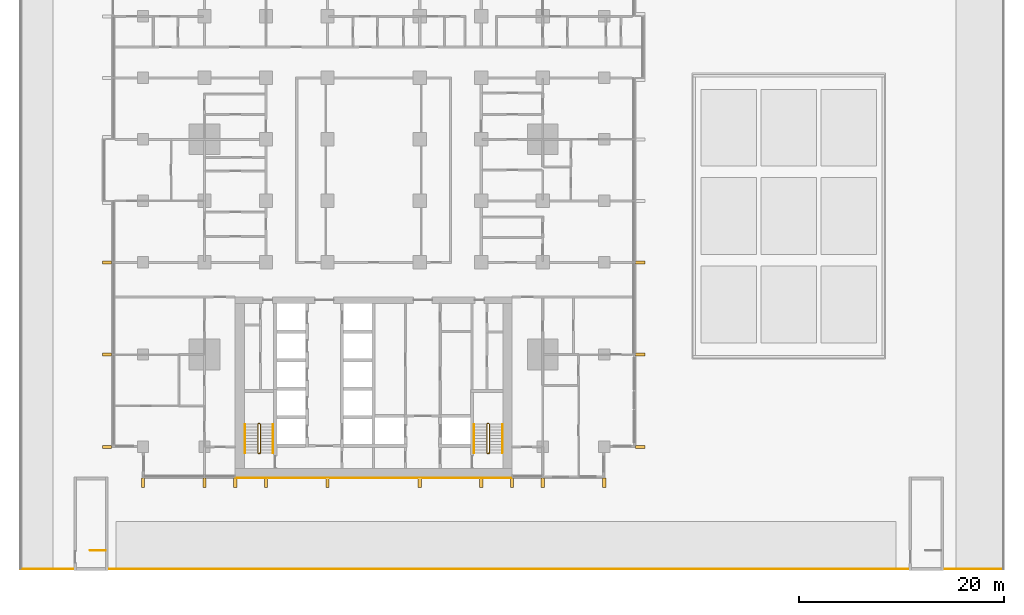
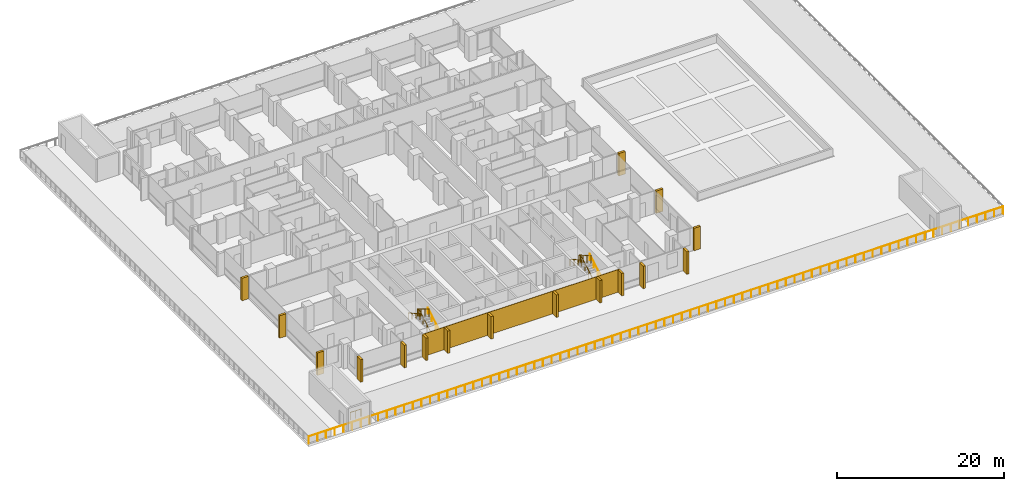
# One storey, part 23 of 25: 16 shading devices, 8 railings, 5 coverings.
"""IFC4 building model written with IfcOpenShell, lengths in metres."""

from ifc_helpers import new_model, si_unit, direction, frame, origin, origin_2d, place, context, subcontext, project, spatial, polyline, rectangle, circle, outline, extrude, material, layer, layer_set, type_object, element, save


model = new_model("IFC4")

# Units and contexts
model_context = context("Model", 3, precision=1e-05, world=origin(), true_north=direction((0.0, 1.0)))
body_context = subcontext(model_context, "Body", "Model", "MODEL_VIEW")
ifc_project = project(units=[si_unit("LENGTHUNIT", "METRE"), si_unit("AREAUNIT", "SQUARE_METRE"), si_unit("VOLUMEUNIT", "CUBIC_METRE"), si_unit("PLANEANGLEUNIT", "RADIAN"), si_unit("MASSUNIT", "GRAM", prefix="KILO")], contexts=[model_context])

# Site, building, storey
site_placement = place(None, origin())
site = spatial("IfcSite", under=ifc_project, at=site_placement, CompositionType="ELEMENT")
building_placement = place(site_placement, origin())
building = spatial("IfcBuilding", under=site, at=building_placement, Name="Finial Court Residences", CompositionType="ELEMENT")
storey_placement = place(building_placement, frame((0.0, 0.0, 32.5)))
storey = spatial("IfcBuildingStorey", under=building, at=storey_placement, Name="L06", CompositionType="ELEMENT", Elevation=32.5)

# Coverings
ifc_material_1 = material(Name="Natural limestone", Category="masonry")
ifc_layer = layer(ifc_material_1, 0.06005859375)
ifc_layer_set = layer_set([ifc_layer], Name="Limestone cladding to the blind core face 60")
covering_type = type_object("IfcCoveringType", Name="Limestone cladding to the blind core face 60", PredefinedType="CLADDING", material=ifc_layer_set)
covering_1_placement = place(storey_placement, origin())
element("IfcCovering", 1, at=covering_1_placement, inside=storey, type_object=covering_type, Name="E-L06-CLAD1", PredefinedType="CLADDING", context=body_context, shape_type="SweptSolid", body=[
    extrude(outline(polyline([(-10.5, -25.56005859375), (-10.5, -25.5), (-13.5, -25.5), (-13.5, -25.56005859375), (-10.5, -25.56005859375)])), origin(), (0.0, 0.0, 1.0), 3.300048828125),
])
covering_2_placement = place(storey_placement, origin())
element("IfcCovering", 2, at=covering_2_placement, inside=storey, type_object=covering_type, Name="E-L06-CLAD2", PredefinedType="CLADDING", context=body_context, shape_type="SweptSolid", body=[
    extrude(outline(polyline([(-4.5, -25.56005859375), (-4.5, -25.5), (-10.5, -25.5), (-10.5, -25.56005859375), (-4.5, -25.56005859375)])), origin(), (0.0, 0.0, 1.0), 3.300048828125),
])
covering_3_placement = place(storey_placement, origin())
element("IfcCovering", 3, at=covering_3_placement, inside=storey, type_object=covering_type, Name="E-L06-CLAD3", PredefinedType="CLADDING", context=body_context, shape_type="SweptSolid", body=[
    extrude(outline(polyline([(4.5, -25.56005859375), (4.5, -25.5), (-4.5, -25.5), (-4.5, -25.56005859375), (4.5, -25.56005859375)])), origin(), (0.0, 0.0, 1.0), 3.300048828125),
])
covering_4_placement = place(storey_placement, origin())
element("IfcCovering", 4, at=covering_4_placement, inside=storey, type_object=covering_type, Name="E-L06-CLAD4", PredefinedType="CLADDING", context=body_context, shape_type="SweptSolid", body=[
    extrude(outline(polyline([(10.5, -25.56005859375), (10.5, -25.5), (4.5, -25.5), (4.5, -25.56005859375), (10.5, -25.56005859375)])), origin(), (0.0, 0.0, 1.0), 3.300048828125),
])
covering_5_placement = place(storey_placement, origin())
element("IfcCovering", 5, at=covering_5_placement, inside=storey, type_object=covering_type, Name="E-L06-CLAD5", PredefinedType="CLADDING", context=body_context, shape_type="SweptSolid", body=[
    extrude(outline(polyline([(13.5, -25.56005859375), (13.5, -25.5), (10.5, -25.5), (10.5, -25.56005859375), (13.5, -25.56005859375)])), origin(), (0.0, 0.0, 1.0), 3.300048828125),
])

# Shading devices
shading_device_type = type_object("IfcShadingDeviceType", Name="Limestone fin 300 x 900", PredefinedType="USERDEFINED", material=ifc_material_1)
for number, where, z_axis, x_axis, name in (
    (6, (26.010009765625, -22.5, 0.0), (0.0, 0.0, 1.0), (1.0, 0.0, 0.0), "E-L06-FIN-E9"),
    (7, (26.010009765625, -13.5, 0.0), (0.0, 0.0, 1.0), (1.0, 0.0, 0.0), "E-L06-FIN-E10"),
    (8, (26.010009765625, -4.5, 0.0), (0.0, 0.0, 1.0), (1.0, 0.0, 0.0), "E-L06-FIN-E11"),
):
    element("IfcShadingDevice", number, at=place(storey_placement, frame(where, z_axis=z_axis, x_axis=x_axis)), inside=storey, type_object=shading_device_type, Name=name, ObjectType="FIN", PredefinedType="USERDEFINED", context=body_context, shape_type="SweptSolid", body=[
        extrude(rectangle(XDim=0.89990234375, YDim=0.300048828125, at=origin_2d()), origin(), (0.0, 0.0, 1.0), 3.280029296875),
    ])
for number, where, z_axis, x_axis, name in (
    (9, (-22.5, -26.010009765625, 0.0), (0.0, 0.0, 1.0), (1.0, 0.0, 0.0), "E-L06-FIN-S17"),
    (10, (-16.5, -26.010009765625, 0.0), (0.0, 0.0, 1.0), (1.0, 0.0, 0.0), "E-L06-FIN-S18"),
    (11, (-13.5, -26.010009765625, 0.0), (0.0, 0.0, 1.0), (1.0, 0.0, 0.0), "E-L06-FIN-S19"),
    (12, (-10.5, -26.010009765625, 0.0), (0.0, 0.0, 1.0), (1.0, 0.0, 0.0), "E-L06-FIN-S20"),
    (13, (-4.5, -26.010009765625, 0.0), (0.0, 0.0, 1.0), (1.0, 0.0, 0.0), "E-L06-FIN-S21"),
    (14, (4.5, -26.010009765625, 0.0), (0.0, 0.0, 1.0), (1.0, 0.0, 0.0), "E-L06-FIN-S22"),
    (15, (10.5, -26.010009765625, 0.0), (0.0, 0.0, 1.0), (1.0, 0.0, 0.0), "E-L06-FIN-S23"),
    (16, (13.5, -26.010009765625, 0.0), (0.0, 0.0, 1.0), (1.0, 0.0, 0.0), "E-L06-FIN-S24"),
    (17, (16.5, -26.010009765625, 0.0), (0.0, 0.0, 1.0), (1.0, 0.0, 0.0), "E-L06-FIN-S25"),
    (18, (22.5, -26.010009765625, 0.0), (0.0, 0.0, 1.0), (1.0, 0.0, 0.0), "E-L06-FIN-S26"),
):
    element("IfcShadingDevice", number, at=place(storey_placement, frame(where, z_axis=z_axis, x_axis=x_axis)), inside=storey, type_object=shading_device_type, Name=name, ObjectType="FIN", PredefinedType="USERDEFINED", context=body_context, shape_type="SweptSolid", body=[
        extrude(rectangle(XDim=0.300048828125, YDim=0.89990234375, at=origin_2d()), origin(), (0.0, 0.0, 1.0), 3.280029296875),
    ])
for number, where, z_axis, x_axis, name in (
    (19, (-26.010009765625, -22.5, 0.0), (0.0, 0.0, 1.0), (1.0, 0.0, 0.0), "E-L06-FIN-W27"),
    (20, (-26.010009765625, -13.5, 0.0), (0.0, 0.0, 1.0), (1.0, 0.0, 0.0), "E-L06-FIN-W28"),
    (21, (-26.010009765625, -4.5, 0.0), (0.0, 0.0, 1.0), (1.0, 0.0, 0.0), "E-L06-FIN-W29"),
):
    element("IfcShadingDevice", number, at=place(storey_placement, frame(where, z_axis=z_axis, x_axis=x_axis)), inside=storey, type_object=shading_device_type, Name=name, ObjectType="FIN", PredefinedType="USERDEFINED", context=body_context, shape_type="SweptSolid", body=[
        extrude(rectangle(XDim=0.89990234375, YDim=0.300048828125, at=origin_2d()), origin(), (0.0, 0.0, 1.0), 3.280029296875),
    ])

# Railings
ifc_material_2 = material(Name="Stainless steel railing", Category="steel")
railing_type_1 = type_object("IfcRailingType", Name="Stair guard 1100", PredefinedType="GUARDRAIL", material=ifc_material_2)
railing_1_placement = place(storey_placement, frame((-11.10009765625, -23.14990234375, 0.0)))
element("IfcRailing", 22, at=railing_1_placement, inside=storey, type_object=railing_type_1, Name="L06 ST-1 stair guard 1", PredefinedType="GUARDRAIL", context=body_context, shape_type="SweptSolid", body=[
    extrude(circle(Radius=0.02392578125, at=origin_2d()), frame((0.0, 0.0, 1.076171875), z_axis=(-1.0, 0.0, 0.0), x_axis=(0.0, -1.0, 0.0)), (0.0, 0.0, 1.0), 0.14990234375),
    extrude(circle(Radius=0.02392578125, at=origin_2d()), frame((-0.14990234375, 0.0, 1.076171875), z_axis=(0.760004195007, 0.189305074214, 0.621737253547), x_axis=(-0.241699205484, 0.970351222016, 0.0)), (0.0, 0.0, 1.0), 0.26318359375),
    extrude(circle(Radius=0.02392578125, at=origin_2d()), frame((0.050048828125, 0.0498046875, 1.23974609375), z_axis=(0.0, 0.863360870873, 0.504586966384), x_axis=(-1.0, 0.0, 0.0)), (0.0, 0.0, 1.0), 3.2431640625),
    extrude(circle(Radius=0.02392578125, at=origin_2d()), frame((0.050048828125, 2.849853515625, 2.8759765625), z_axis=(-0.707106781187, 0.707106781187, 0.0), x_axis=(-0.707106781187, -0.707106781187, 0.0)), (0.0, 0.0, 1.0), 0.07080078125),
    extrude(circle(Radius=0.02392578125, at=origin_2d()), frame((0.0, 2.89990234375, 2.8759765625), z_axis=(-1.0, 0.0, 0.0), x_axis=(0.0, -1.0, 0.0)), (0.0, 0.0, 1.0), 0.14990234375),
    extrude(circle(Radius=0.02392578125, at=origin_2d()), frame((-0.14990234375, 2.89990234375, 2.8759765625), z_axis=(-0.280808744504, -0.280808744504, 0.917765164963), x_axis=(0.707106781187, -0.707106781187, 0.0)), (0.0, 0.0, 1.0), 0.17822265625),
    extrude(circle(Radius=0.02392578125, at=origin_2d()), frame((-0.199951171875, 2.849853515625, 3.03955078125), z_axis=(0.0, -0.863360870873, 0.504586966384), x_axis=(1.0, 0.0, 0.0)), (0.0, 0.0, 1.0), 3.2431640625),
    extrude(circle(Radius=0.02099609375, at=origin_2d()), origin(), (0.0, 0.0, 1.0), 1.052001953125),
    extrude(circle(Radius=0.02099609375, at=origin_2d()), frame((-0.14990234375, 0.0, 0.0)), (0.0, 0.0, 1.0), 1.052001953125),
    extrude(circle(Radius=0.02099609375, at=origin_2d()), frame((0.050048828125, 0.0498046875, 0.16357421875)), (0.0, 0.0, 1.0), 1.052001953125),
    extrude(circle(Radius=0.02099609375, at=origin_2d()), frame((0.050048828125, 0.983154296875, 0.708984375)), (0.0, 0.0, 1.0), 1.052001953125),
    extrude(circle(Radius=0.02099609375, at=origin_2d()), frame((0.050048828125, 1.91650390625, 1.254638671875)), (0.0, 0.0, 1.0), 1.052001953125),
    extrude(circle(Radius=0.02099609375, at=origin_2d()), frame((0.050048828125, 2.849853515625, 1.800048828125)), (0.0, 0.0, 1.0), 1.052001953125),
    extrude(circle(Radius=0.02099609375, at=origin_2d()), frame((0.0, 2.89990234375, 1.800048828125)), (0.0, 0.0, 1.0), 1.052001953125),
    extrude(circle(Radius=0.02099609375, at=origin_2d()), frame((-0.14990234375, 2.89990234375, 1.800048828125)), (0.0, 0.0, 1.0), 1.052001953125),
    extrude(circle(Radius=0.02099609375, at=origin_2d()), frame((-0.199951171875, 2.849853515625, 1.963623046875)), (0.0, 0.0, 1.0), 1.052001953125),
    extrude(circle(Radius=0.02099609375, at=origin_2d()), frame((-0.199951171875, 1.91650390625, 2.509033203125)), (0.0, 0.0, 1.0), 1.052001953125),
    extrude(circle(Radius=0.02099609375, at=origin_2d()), frame((-0.199951171875, 0.983154296875, 3.0546875)), (0.0, 0.0, 1.0), 1.052001953125),
    extrude(circle(Radius=0.02099609375, at=origin_2d()), frame((-0.199951171875, 0.0498046875, 3.60009765625)), (0.0, 0.0, 1.0), 1.052001953125),
])
railing_2_placement = place(storey_placement, frame((11.25, -23.14990234375, 0.0)))
element("IfcRailing", 23, at=railing_2_placement, inside=storey, type_object=railing_type_1, Name="L06 ST-2 stair guard 1", PredefinedType="GUARDRAIL", context=body_context, shape_type="SweptSolid", body=[
    extrude(circle(Radius=0.02392578125, at=origin_2d()), frame((0.0, 0.0, 1.076171875), z_axis=(-1.0, 0.0, 0.0), x_axis=(0.0, -1.0, 0.0)), (0.0, 0.0, 1.0), 0.14990234375),
    extrude(circle(Radius=0.02392578125, at=origin_2d()), frame((-0.14990234375, 0.0, 1.076171875), z_axis=(0.760004195007, 0.189305074214, 0.621737253547), x_axis=(-0.241699205484, 0.970351222016, 0.0)), (0.0, 0.0, 1.0), 0.26318359375),
    extrude(circle(Radius=0.02392578125, at=origin_2d()), frame((0.050048828125, 0.0498046875, 1.23974609375), z_axis=(0.0, 0.863360870873, 0.504586966384), x_axis=(-1.0, 0.0, 0.0)), (0.0, 0.0, 1.0), 3.2431640625),
    extrude(circle(Radius=0.02392578125, at=origin_2d()), frame((0.050048828125, 2.849853515625, 2.8759765625), z_axis=(-0.707106781187, 0.707106781187, 0.0), x_axis=(-0.707106781187, -0.707106781187, 0.0)), (0.0, 0.0, 1.0), 0.07080078125),
    extrude(circle(Radius=0.02392578125, at=origin_2d()), frame((0.0, 2.89990234375, 2.8759765625), z_axis=(-1.0, 0.0, 0.0), x_axis=(0.0, -1.0, 0.0)), (0.0, 0.0, 1.0), 0.14990234375),
    extrude(circle(Radius=0.02392578125, at=origin_2d()), frame((-0.14990234375, 2.89990234375, 2.8759765625), z_axis=(-0.280808744504, -0.280808744504, 0.917765164963), x_axis=(0.707106781187, -0.707106781187, 0.0)), (0.0, 0.0, 1.0), 0.17822265625),
    extrude(circle(Radius=0.02392578125, at=origin_2d()), frame((-0.199951171875, 2.849853515625, 3.03955078125), z_axis=(0.0, -0.863360870873, 0.504586966384), x_axis=(1.0, 0.0, 0.0)), (0.0, 0.0, 1.0), 3.2431640625),
    extrude(circle(Radius=0.02099609375, at=origin_2d()), origin(), (0.0, 0.0, 1.0), 1.052001953125),
    extrude(circle(Radius=0.02099609375, at=origin_2d()), frame((-0.14990234375, 0.0, 0.0)), (0.0, 0.0, 1.0), 1.052001953125),
    extrude(circle(Radius=0.02099609375, at=origin_2d()), frame((0.050048828125, 0.0498046875, 0.16357421875)), (0.0, 0.0, 1.0), 1.052001953125),
    extrude(circle(Radius=0.02099609375, at=origin_2d()), frame((0.050048828125, 0.983154296875, 0.708984375)), (0.0, 0.0, 1.0), 1.052001953125),
    extrude(circle(Radius=0.02099609375, at=origin_2d()), frame((0.050048828125, 1.91650390625, 1.254638671875)), (0.0, 0.0, 1.0), 1.052001953125),
    extrude(circle(Radius=0.02099609375, at=origin_2d()), frame((0.050048828125, 2.849853515625, 1.800048828125)), (0.0, 0.0, 1.0), 1.052001953125),
    extrude(circle(Radius=0.02099609375, at=origin_2d()), frame((0.0, 2.89990234375, 1.800048828125)), (0.0, 0.0, 1.0), 1.052001953125),
    extrude(circle(Radius=0.02099609375, at=origin_2d()), frame((-0.14990234375, 2.89990234375, 1.800048828125)), (0.0, 0.0, 1.0), 1.052001953125),
    extrude(circle(Radius=0.02099609375, at=origin_2d()), frame((-0.199951171875, 2.849853515625, 1.963623046875)), (0.0, 0.0, 1.0), 1.052001953125),
    extrude(circle(Radius=0.02099609375, at=origin_2d()), frame((-0.199951171875, 1.91650390625, 2.509033203125)), (0.0, 0.0, 1.0), 1.052001953125),
    extrude(circle(Radius=0.02099609375, at=origin_2d()), frame((-0.199951171875, 0.983154296875, 3.0546875)), (0.0, 0.0, 1.0), 1.052001953125),
    extrude(circle(Radius=0.02099609375, at=origin_2d()), frame((-0.199951171875, 0.0498046875, 3.60009765625)), (0.0, 0.0, 1.0), 1.052001953125),
])
railing_3_placement = place(storey_placement, frame((-26.14990234375, -32.60009765625, 0.0)))
element("IfcRailing", 24, at=railing_3_placement, inside=storey, type_object=railing_type_1, Name="L06 ST-4 top well guard 1", PredefinedType="GUARDRAIL", context=body_context, shape_type="SweptSolid", body=[
    extrude(circle(Radius=0.02392578125, at=origin_2d()), frame((0.0, 0.0, 1.076171875), z_axis=(-1.0, 0.0, 0.0), x_axis=(0.0, -1.0, 0.0)), (0.0, 0.0, 1.0), 1.5),
    extrude(circle(Radius=0.02099609375, at=origin_2d()), origin(), (0.0, 0.0, 1.0), 1.052001953125),
    extrude(circle(Radius=0.02099609375, at=origin_2d()), frame((-0.75, 0.0, 0.0)), (0.0, 0.0, 1.0), 1.052001953125),
    extrude(circle(Radius=0.02099609375, at=origin_2d()), frame((-1.5, 0.0, 0.0)), (0.0, 0.0, 1.0), 1.052001953125),
])
railing_type_2 = type_object("IfcRailingType", Name="Stair handrail 900", PredefinedType="HANDRAIL", material=ifc_material_2)
railing_4_placement = place(storey_placement, frame((-9.800048828125, -23.10009765625, 0.16357421875)))
element("IfcRailing", 25, at=railing_4_placement, inside=storey, type_object=railing_type_2, Name="L06 ST-1 stair handrail 1", PredefinedType="HANDRAIL", context=body_context, shape_type="SweptSolid", body=[
    extrude(circle(Radius=0.02392578125, at=origin_2d()), frame((0.0, 0.0, 0.8759765625), z_axis=(0.0, 0.863360870873, 0.504586966384), x_axis=(-1.0, 0.0, 0.0)), (0.0, 0.0, 1.0), 3.2431640625),
    extrude(circle(Radius=0.02099609375, at=origin_2d()), origin(), (0.0, 0.0, 1.0), 0.851806640625),
    extrude(circle(Radius=0.02099609375, at=origin_2d()), frame((0.0, 0.933349609375, 0.54541015625)), (0.0, 0.0, 1.0), 0.851806640625),
    extrude(circle(Radius=0.02099609375, at=origin_2d()), frame((0.0, 1.86669921875, 1.091064453125)), (0.0, 0.0, 1.0), 0.851806640625),
    extrude(circle(Radius=0.02099609375, at=origin_2d()), frame((0.0, 2.800048828125, 1.636474609375)), (0.0, 0.0, 1.0), 0.851806640625),
])
railing_5_placement = place(storey_placement, frame((-12.550048828125, -20.300048828125, 1.963623046875)))
element("IfcRailing", 26, at=railing_5_placement, inside=storey, type_object=railing_type_2, Name="L06 ST-1 stair handrail 2", PredefinedType="HANDRAIL", context=body_context, shape_type="SweptSolid", body=[
    extrude(circle(Radius=0.02392578125, at=origin_2d()), frame((0.0, 0.0, 0.8759765625), z_axis=(0.0, -0.863360870873, 0.504586966384), x_axis=(1.0, 0.0, 0.0)), (0.0, 0.0, 1.0), 3.2431640625),
    extrude(circle(Radius=0.02099609375, at=origin_2d()), origin(), (0.0, 0.0, 1.0), 0.851806640625),
    extrude(circle(Radius=0.02099609375, at=origin_2d()), frame((0.0, -0.933349609375, 0.54541015625)), (0.0, 0.0, 1.0), 0.851806640625),
    extrude(circle(Radius=0.02099609375, at=origin_2d()), frame((0.0, -1.86669921875, 1.091064453125)), (0.0, 0.0, 1.0), 0.851806640625),
    extrude(circle(Radius=0.02099609375, at=origin_2d()), frame((0.0, -2.800048828125, 1.636474609375)), (0.0, 0.0, 1.0), 0.851806640625),
])
railing_6_placement = place(storey_placement, frame((12.550048828125, -23.10009765625, 0.16357421875)))
element("IfcRailing", 27, at=railing_6_placement, inside=storey, type_object=railing_type_2, Name="L06 ST-2 stair handrail 1", PredefinedType="HANDRAIL", context=body_context, shape_type="SweptSolid", body=[
    extrude(circle(Radius=0.02392578125, at=origin_2d()), frame((0.0, 0.0, 0.8759765625), z_axis=(0.0, 0.863360870873, 0.504586966384), x_axis=(-1.0, 0.0, 0.0)), (0.0, 0.0, 1.0), 3.2431640625),
    extrude(circle(Radius=0.02099609375, at=origin_2d()), origin(), (0.0, 0.0, 1.0), 0.851806640625),
    extrude(circle(Radius=0.02099609375, at=origin_2d()), frame((0.0, 0.933349609375, 0.54541015625)), (0.0, 0.0, 1.0), 0.851806640625),
    extrude(circle(Radius=0.02099609375, at=origin_2d()), frame((0.0, 1.86669921875, 1.091064453125)), (0.0, 0.0, 1.0), 0.851806640625),
    extrude(circle(Radius=0.02099609375, at=origin_2d()), frame((0.0, 2.800048828125, 1.636474609375)), (0.0, 0.0, 1.0), 0.851806640625),
])
railing_7_placement = place(storey_placement, frame((9.800048828125, -20.300048828125, 1.963623046875)))
element("IfcRailing", 28, at=railing_7_placement, inside=storey, type_object=railing_type_2, Name="L06 ST-2 stair handrail 2", PredefinedType="HANDRAIL", context=body_context, shape_type="SweptSolid", body=[
    extrude(circle(Radius=0.02392578125, at=origin_2d()), frame((0.0, 0.0, 0.8759765625), z_axis=(0.0, -0.863360870873, 0.504586966384), x_axis=(1.0, 0.0, 0.0)), (0.0, 0.0, 1.0), 3.2431640625),
    extrude(circle(Radius=0.02099609375, at=origin_2d()), origin(), (0.0, 0.0, 1.0), 0.851806640625),
    extrude(circle(Radius=0.02099609375, at=origin_2d()), frame((0.0, -0.933349609375, 0.54541015625)), (0.0, 0.0, 1.0), 0.851806640625),
    extrude(circle(Radius=0.02099609375, at=origin_2d()), frame((0.0, -1.86669921875, 1.091064453125)), (0.0, 0.0, 1.0), 0.851806640625),
    extrude(circle(Radius=0.02099609375, at=origin_2d()), frame((0.0, -2.800048828125, 1.636474609375)), (0.0, 0.0, 1.0), 0.851806640625),
])
ifc_material_3 = material(Name="Bronze anodised aluminium", Category="aluminium")
railing_type_3 = type_object("IfcRailingType", Name="Terrace guard 1100", PredefinedType="GUARDRAIL", material=ifc_material_3)
railing_8_placement = place(storey_placement, frame((61.389892578125, -34.43994140625, 0.0)))
element("IfcRailing", 29, at=railing_8_placement, inside=storey, type_object=railing_type_3, Name="E-L06-TER1-R1-3", PredefinedType="GUARDRAIL", context=body_context, shape_type="SweptSolid", body=[
    extrude(circle(Radius=0.02392578125, at=origin_2d()), frame((0.0, 0.0, 1.076171875), z_axis=(-1.0, 0.0, 0.0), x_axis=(0.0, -1.0, 0.0)), (0.0, 0.0, 1.0), 95.829833984375),
    extrude(circle(Radius=0.02099609375, at=origin_2d()), origin(), (0.0, 0.0, 1.0), 1.052001953125),
    extrude(circle(Radius=0.02099609375, at=origin_2d()), frame((-1.19775390625, 0.0, 0.0)), (0.0, 0.0, 1.0), 1.052001953125),
    extrude(circle(Radius=0.02099609375, at=origin_2d()), frame((-2.395751953125, 0.0, 0.0)), (0.0, 0.0, 1.0), 1.052001953125),
    extrude(circle(Radius=0.02099609375, at=origin_2d()), frame((-3.593505859375, 0.0, 0.0)), (0.0, 0.0, 1.0), 1.052001953125),
    extrude(circle(Radius=0.02099609375, at=origin_2d()), frame((-4.79150390625, 0.0, 0.0)), (0.0, 0.0, 1.0), 1.052001953125),
    extrude(circle(Radius=0.02099609375, at=origin_2d()), frame((-5.9892578125, 0.0, 0.0)), (0.0, 0.0, 1.0), 1.052001953125),
    extrude(circle(Radius=0.02099609375, at=origin_2d()), frame((-7.187255859375, 0.0, 0.0)), (0.0, 0.0, 1.0), 1.052001953125),
    extrude(circle(Radius=0.02099609375, at=origin_2d()), frame((-8.385009765625, 0.0, 0.0)), (0.0, 0.0, 1.0), 1.052001953125),
    extrude(circle(Radius=0.02099609375, at=origin_2d()), frame((-9.5830078125, 0.0, 0.0)), (0.0, 0.0, 1.0), 1.052001953125),
    extrude(circle(Radius=0.02099609375, at=origin_2d()), frame((-10.78076171875, 0.0, 0.0)), (0.0, 0.0, 1.0), 1.052001953125),
    extrude(circle(Radius=0.02099609375, at=origin_2d()), frame((-11.978759765625, 0.0, 0.0)), (0.0, 0.0, 1.0), 1.052001953125),
    extrude(circle(Radius=0.02099609375, at=origin_2d()), frame((-13.176513671875, 0.0, 0.0)), (0.0, 0.0, 1.0), 1.052001953125),
    extrude(circle(Radius=0.02099609375, at=origin_2d()), frame((-14.37451171875, 0.0, 0.0)), (0.0, 0.0, 1.0), 1.052001953125),
    extrude(circle(Radius=0.02099609375, at=origin_2d()), frame((-15.572265625, 0.0, 0.0)), (0.0, 0.0, 1.0), 1.052001953125),
    extrude(circle(Radius=0.02099609375, at=origin_2d()), frame((-16.770263671875, 0.0, 0.0)), (0.0, 0.0, 1.0), 1.052001953125),
    extrude(circle(Radius=0.02099609375, at=origin_2d()), frame((-17.968017578125, 0.0, 0.0)), (0.0, 0.0, 1.0), 1.052001953125),
    extrude(circle(Radius=0.02099609375, at=origin_2d()), frame((-19.166015625, 0.0, 0.0)), (0.0, 0.0, 1.0), 1.052001953125),
    extrude(circle(Radius=0.02099609375, at=origin_2d()), frame((-20.36376953125, 0.0, 0.0)), (0.0, 0.0, 1.0), 1.052001953125),
    extrude(circle(Radius=0.02099609375, at=origin_2d()), frame((-21.561767578125, 0.0, 0.0)), (0.0, 0.0, 1.0), 1.052001953125),
    extrude(circle(Radius=0.02099609375, at=origin_2d()), frame((-22.759521484375, 0.0, 0.0)), (0.0, 0.0, 1.0), 1.052001953125),
    extrude(circle(Radius=0.02099609375, at=origin_2d()), frame((-23.95751953125, 0.0, 0.0)), (0.0, 0.0, 1.0), 1.052001953125),
    extrude(circle(Radius=0.02099609375, at=origin_2d()), frame((-25.1552734375, 0.0, 0.0)), (0.0, 0.0, 1.0), 1.052001953125),
    extrude(circle(Radius=0.02099609375, at=origin_2d()), frame((-26.353271484375, 0.0, 0.0)), (0.0, 0.0, 1.0), 1.052001953125),
    extrude(circle(Radius=0.02099609375, at=origin_2d()), frame((-27.551025390625, 0.0, 0.0)), (0.0, 0.0, 1.0), 1.052001953125),
    extrude(circle(Radius=0.02099609375, at=origin_2d()), frame((-28.7490234375, 0.0, 0.0)), (0.0, 0.0, 1.0), 1.052001953125),
    extrude(circle(Radius=0.02099609375, at=origin_2d()), frame((-29.94677734375, 0.0, 0.0)), (0.0, 0.0, 1.0), 1.052001953125),
    extrude(circle(Radius=0.02099609375, at=origin_2d()), frame((-31.144775390625, 0.0, 0.0)), (0.0, 0.0, 1.0), 1.052001953125),
    extrude(circle(Radius=0.02099609375, at=origin_2d()), frame((-32.342529296875, 0.0, 0.0)), (0.0, 0.0, 1.0), 1.052001953125),
    extrude(circle(Radius=0.02099609375, at=origin_2d()), frame((-33.54052734375, 0.0, 0.0)), (0.0, 0.0, 1.0), 1.052001953125),
    extrude(circle(Radius=0.02099609375, at=origin_2d()), frame((-34.73828125, 0.0, 0.0)), (0.0, 0.0, 1.0), 1.052001953125),
    extrude(circle(Radius=0.02099609375, at=origin_2d()), frame((-35.936279296875, 0.0, 0.0)), (0.0, 0.0, 1.0), 1.052001953125),
    extrude(circle(Radius=0.02099609375, at=origin_2d()), frame((-37.134033203125, 0.0, 0.0)), (0.0, 0.0, 1.0), 1.052001953125),
    extrude(circle(Radius=0.02099609375, at=origin_2d()), frame((-38.33203125, 0.0, 0.0)), (0.0, 0.0, 1.0), 1.052001953125),
    extrude(circle(Radius=0.02099609375, at=origin_2d()), frame((-39.52978515625, 0.0, 0.0)), (0.0, 0.0, 1.0), 1.052001953125),
    extrude(circle(Radius=0.02099609375, at=origin_2d()), frame((-40.727783203125, 0.0, 0.0)), (0.0, 0.0, 1.0), 1.052001953125),
    extrude(circle(Radius=0.02099609375, at=origin_2d()), frame((-41.925537109375, 0.0, 0.0)), (0.0, 0.0, 1.0), 1.052001953125),
    extrude(circle(Radius=0.02099609375, at=origin_2d()), frame((-43.12353515625, 0.0, 0.0)), (0.0, 0.0, 1.0), 1.052001953125),
    extrude(circle(Radius=0.02099609375, at=origin_2d()), frame((-44.3212890625, 0.0, 0.0)), (0.0, 0.0, 1.0), 1.052001953125),
    extrude(circle(Radius=0.02099609375, at=origin_2d()), frame((-45.519287109375, 0.0, 0.0)), (0.0, 0.0, 1.0), 1.052001953125),
    extrude(circle(Radius=0.02099609375, at=origin_2d()), frame((-46.717041015625, 0.0, 0.0)), (0.0, 0.0, 1.0), 1.052001953125),
    extrude(circle(Radius=0.02099609375, at=origin_2d()), frame((-47.9150390625, 0.0, 0.0)), (0.0, 0.0, 1.0), 1.052001953125),
    extrude(circle(Radius=0.02099609375, at=origin_2d()), frame((-49.11279296875, 0.0, 0.0)), (0.0, 0.0, 1.0), 1.052001953125),
    extrude(circle(Radius=0.02099609375, at=origin_2d()), frame((-50.310546875, 0.0, 0.0)), (0.0, 0.0, 1.0), 1.052001953125),
    extrude(circle(Radius=0.02099609375, at=origin_2d()), frame((-51.508544921875, 0.0, 0.0)), (0.0, 0.0, 1.0), 1.052001953125),
    extrude(circle(Radius=0.02099609375, at=origin_2d()), frame((-52.706298828125, 0.0, 0.0)), (0.0, 0.0, 1.0), 1.052001953125),
    extrude(circle(Radius=0.02099609375, at=origin_2d()), frame((-53.904296875, 0.0, 0.0)), (0.0, 0.0, 1.0), 1.052001953125),
    extrude(circle(Radius=0.02099609375, at=origin_2d()), frame((-55.10205078125, 0.0, 0.0)), (0.0, 0.0, 1.0), 1.052001953125),
    extrude(circle(Radius=0.02099609375, at=origin_2d()), frame((-56.300048828125, 0.0, 0.0)), (0.0, 0.0, 1.0), 1.052001953125),
    extrude(circle(Radius=0.02099609375, at=origin_2d()), frame((-57.497802734375, 0.0, 0.0)), (0.0, 0.0, 1.0), 1.052001953125),
    extrude(circle(Radius=0.02099609375, at=origin_2d()), frame((-58.69580078125, 0.0, 0.0)), (0.0, 0.0, 1.0), 1.052001953125),
    extrude(circle(Radius=0.02099609375, at=origin_2d()), frame((-59.8935546875, 0.0, 0.0)), (0.0, 0.0, 1.0), 1.052001953125),
    extrude(circle(Radius=0.02099609375, at=origin_2d()), frame((-61.091552734375, 0.0, 0.0)), (0.0, 0.0, 1.0), 1.052001953125),
    extrude(circle(Radius=0.02099609375, at=origin_2d()), frame((-62.289306640625, 0.0, 0.0)), (0.0, 0.0, 1.0), 1.052001953125),
    extrude(circle(Radius=0.02099609375, at=origin_2d()), frame((-63.4873046875, 0.0, 0.0)), (0.0, 0.0, 1.0), 1.052001953125),
    extrude(circle(Radius=0.02099609375, at=origin_2d()), frame((-64.68505859375, 0.0, 0.0)), (0.0, 0.0, 1.0), 1.052001953125),
    extrude(circle(Radius=0.02099609375, at=origin_2d()), frame((-65.883056640625, 0.0, 0.0)), (0.0, 0.0, 1.0), 1.052001953125),
    extrude(circle(Radius=0.02099609375, at=origin_2d()), frame((-67.080810546875, 0.0, 0.0)), (0.0, 0.0, 1.0), 1.052001953125),
    extrude(circle(Radius=0.02099609375, at=origin_2d()), frame((-68.27880859375, 0.0, 0.0)), (0.0, 0.0, 1.0), 1.052001953125),
    extrude(circle(Radius=0.02099609375, at=origin_2d()), frame((-69.4765625, 0.0, 0.0)), (0.0, 0.0, 1.0), 1.052001953125),
    extrude(circle(Radius=0.02099609375, at=origin_2d()), frame((-70.674560546875, 0.0, 0.0)), (0.0, 0.0, 1.0), 1.052001953125),
    extrude(circle(Radius=0.02099609375, at=origin_2d()), frame((-71.872314453125, 0.0, 0.0)), (0.0, 0.0, 1.0), 1.052001953125),
    extrude(circle(Radius=0.02099609375, at=origin_2d()), frame((-73.0703125, 0.0, 0.0)), (0.0, 0.0, 1.0), 1.052001953125),
    extrude(circle(Radius=0.02099609375, at=origin_2d()), frame((-74.26806640625, 0.0, 0.0)), (0.0, 0.0, 1.0), 1.052001953125),
    extrude(circle(Radius=0.02099609375, at=origin_2d()), frame((-75.466064453125, 0.0, 0.0)), (0.0, 0.0, 1.0), 1.052001953125),
    extrude(circle(Radius=0.02099609375, at=origin_2d()), frame((-76.663818359375, 0.0, 0.0)), (0.0, 0.0, 1.0), 1.052001953125),
    extrude(circle(Radius=0.02099609375, at=origin_2d()), frame((-77.86181640625, 0.0, 0.0)), (0.0, 0.0, 1.0), 1.052001953125),
    extrude(circle(Radius=0.02099609375, at=origin_2d()), frame((-79.0595703125, 0.0, 0.0)), (0.0, 0.0, 1.0), 1.052001953125),
    extrude(circle(Radius=0.02099609375, at=origin_2d()), frame((-80.257568359375, 0.0, 0.0)), (0.0, 0.0, 1.0), 1.052001953125),
    extrude(circle(Radius=0.02099609375, at=origin_2d()), frame((-81.455322265625, 0.0, 0.0)), (0.0, 0.0, 1.0), 1.052001953125),
    extrude(circle(Radius=0.02099609375, at=origin_2d()), frame((-82.6533203125, 0.0, 0.0)), (0.0, 0.0, 1.0), 1.052001953125),
    extrude(circle(Radius=0.02099609375, at=origin_2d()), frame((-83.85107421875, 0.0, 0.0)), (0.0, 0.0, 1.0), 1.052001953125),
    extrude(circle(Radius=0.02099609375, at=origin_2d()), frame((-85.049072265625, 0.0, 0.0)), (0.0, 0.0, 1.0), 1.052001953125),
    extrude(circle(Radius=0.02099609375, at=origin_2d()), frame((-86.246826171875, 0.0, 0.0)), (0.0, 0.0, 1.0), 1.052001953125),
    extrude(circle(Radius=0.02099609375, at=origin_2d()), frame((-87.44482421875, 0.0, 0.0)), (0.0, 0.0, 1.0), 1.052001953125),
    extrude(circle(Radius=0.02099609375, at=origin_2d()), frame((-88.642578125, 0.0, 0.0)), (0.0, 0.0, 1.0), 1.052001953125),
    extrude(circle(Radius=0.02099609375, at=origin_2d()), frame((-89.840576171875, 0.0, 0.0)), (0.0, 0.0, 1.0), 1.052001953125),
    extrude(circle(Radius=0.02099609375, at=origin_2d()), frame((-91.038330078125, 0.0, 0.0)), (0.0, 0.0, 1.0), 1.052001953125),
    extrude(circle(Radius=0.02099609375, at=origin_2d()), frame((-92.236328125, 0.0, 0.0)), (0.0, 0.0, 1.0), 1.052001953125),
    extrude(circle(Radius=0.02099609375, at=origin_2d()), frame((-93.43408203125, 0.0, 0.0)), (0.0, 0.0, 1.0), 1.052001953125),
    extrude(circle(Radius=0.02099609375, at=origin_2d()), frame((-94.632080078125, 0.0, 0.0)), (0.0, 0.0, 1.0), 1.052001953125),
    extrude(circle(Radius=0.02099609375, at=origin_2d()), frame((-95.829833984375, 0.0, 0.0)), (0.0, 0.0, 1.0), 1.052001953125),
])

save(model, "model.ifc")
